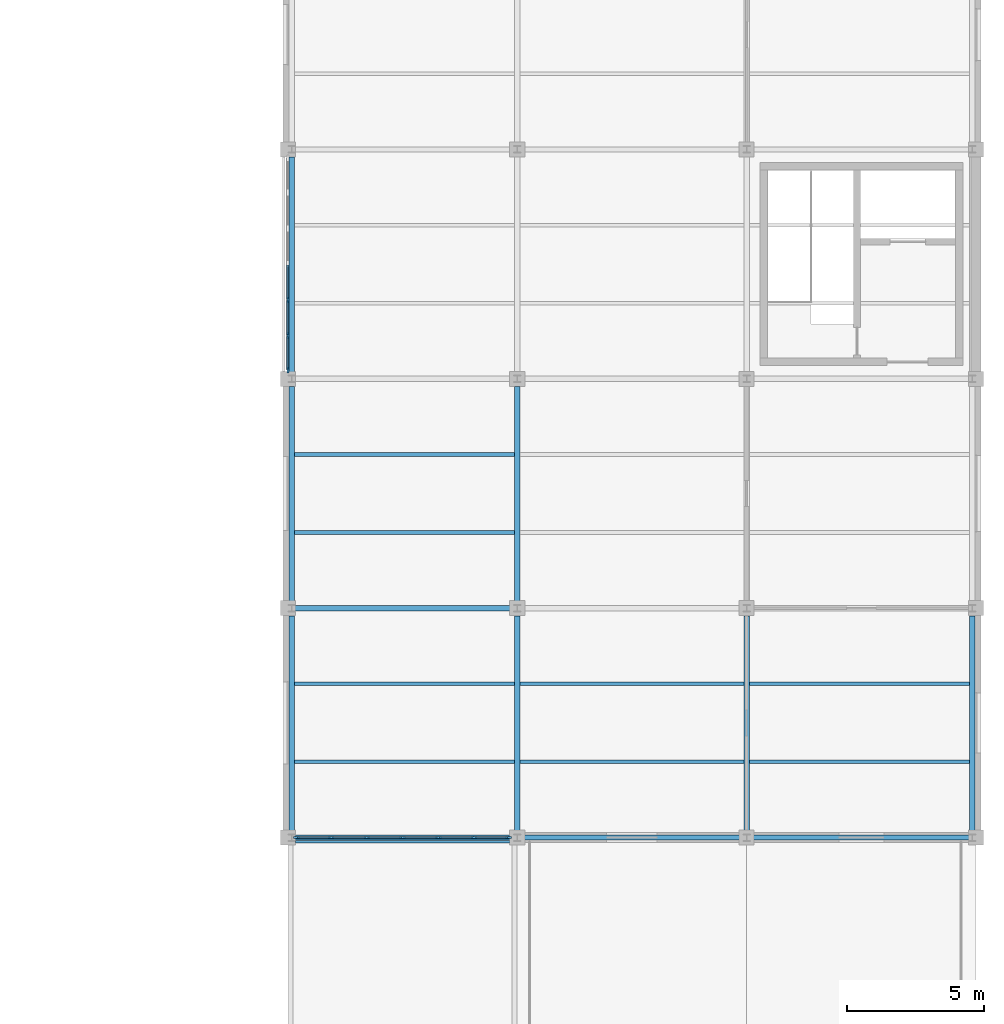
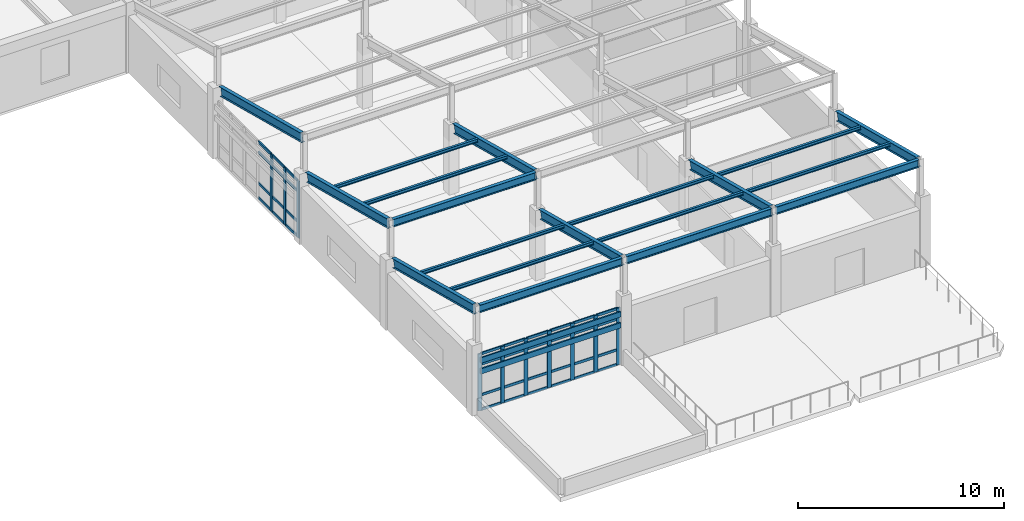
# One storey, part 40 of 74: 56 members, 11 beams, 2 elements without a shape of their own.
"""IFC4 building model written with IfcOpenShell, lengths in metres."""

from ifc_helpers import new_model, si_unit, direction, frame, origin, origin_2d, place, context, subcontext, project, spatial, rectangle, i_section, extrude, material, layer, layer_set, material_profile, profile_set, type_object, element, aggregate, save


model = new_model("IFC4")

# Units and contexts
model_context = context("Model", 3, precision=1e-05, world=origin(), true_north=direction((0.0, 1.0)))
body_context = subcontext(model_context, "Body", "Model", "MODEL_VIEW")
ifc_project = project(units=[si_unit("LENGTHUNIT", "METRE"), si_unit("AREAUNIT", "SQUARE_METRE"), si_unit("VOLUMEUNIT", "CUBIC_METRE"), si_unit("PLANEANGLEUNIT", "RADIAN"), si_unit("MASSUNIT", "GRAM", prefix="KILO")], contexts=[model_context])

# Site, building, storey
site_placement = place(None, origin())
site = spatial("IfcSite", under=ifc_project, at=site_placement, CompositionType="ELEMENT")
building_placement = place(site_placement, origin())
building = spatial("IfcBuilding", under=site, at=building_placement, Name="Porcellanite Civic Hall", CompositionType="ELEMENT")
storey_placement = place(building_placement, frame((0.0, 0.0, 14.760009765625)))
storey = spatial("IfcBuildingStorey", under=building, at=storey_placement, Name="L03", CompositionType="ELEMENT", Elevation=14.760009765625)

# Curtain wall, members
ifc_material_1 = material(Name="Anodised aluminium and solar laminated glass", Category="aluminium")
ifc_layer = layer(ifc_material_1, 0.179931640625)
ifc_layer_set = layer_set([ifc_layer], Name="Anodised aluminium and solar laminated glass")
curtain_wall_type = type_object("IfcCurtainWallType", Name="CW-SYS02", PredefinedType="NOTDEFINED", material=ifc_layer_set)
curtain_wall_1_placement = place(storey_placement, origin())
curtain_wall_1 = element("IfcCurtainWall", 1, at=curtain_wall_1_placement, inside=storey, type_object=curtain_wall_type, Name="Curtain wall CW-221", PredefinedType="NOTDEFINED")
ifc_material_2 = material(Name="Anodised aluminium 6063-T6", Category="aluminium")
ifc_material_profile_1 = material_profile(ifc_material_2, rectangle(XDim=0.074951171875, YDim=0.219970703125, at=origin_2d()), Name="AL-75x220")
ifc_profile_set_1 = profile_set([ifc_material_profile_1], Name="Anodised aluminium 6063-T6")
member_type_1 = type_object("IfcMemberType", Name="CWM-03", PredefinedType="MULLION", material=ifc_profile_set_1)
member_1_placement = place(storey_placement, frame((150.886474609375, 16.800048828125, 0.0), z_axis=(0.0, 0.0, 1.0), x_axis=(0.0, -1.0, 0.0)))
member_1 = element("IfcMember", 2, at=member_1_placement, type_object=member_type_1, Name="CW-221 mullion 1", PredefinedType="MULLION", context=body_context, shape_type="SweptSolid", body=[
    extrude(rectangle(XDim=0.074951171875, YDim=0.219970703125, at=origin_2d()), origin(), (0.0, 0.0, 1.0), 3.369873046875),
])
member_2_placement = place(storey_placement, frame((149.615966796875, 16.800048828125, 0.0), z_axis=(0.0, 0.0, 1.0), x_axis=(0.0, -1.0, 0.0)))
member_2 = element("IfcMember", 3, at=member_2_placement, type_object=member_type_1, Name="CW-221 mullion 2", PredefinedType="MULLION", context=body_context, shape_type="SweptSolid", body=[
    extrude(rectangle(XDim=0.074951171875, YDim=0.219970703125, at=origin_2d()), origin(), (0.0, 0.0, 1.0), 3.369873046875),
])
member_3_placement = place(storey_placement, frame((148.30810546875, 16.800048828125, 0.0), z_axis=(0.0, 0.0, 1.0), x_axis=(0.0, -1.0, 0.0)))
member_3 = element("IfcMember", 4, at=member_3_placement, type_object=member_type_1, Name="CW-221 mullion 3", PredefinedType="MULLION", context=body_context, shape_type="SweptSolid", body=[
    extrude(rectangle(XDim=0.074951171875, YDim=0.219970703125, at=origin_2d()), origin(), (0.0, 0.0, 1.0), 3.369873046875),
])
member_4_placement = place(storey_placement, frame((147.0, 16.800048828125, 0.0), z_axis=(0.0, 0.0, 1.0), x_axis=(0.0, -1.0, 0.0)))
member_4 = element("IfcMember", 5, at=member_4_placement, type_object=member_type_1, Name="CW-221 mullion 4", PredefinedType="MULLION", context=body_context, shape_type="SweptSolid", body=[
    extrude(rectangle(XDim=0.074951171875, YDim=0.219970703125, at=origin_2d()), origin(), (0.0, 0.0, 1.0), 3.369873046875),
])
member_5_placement = place(storey_placement, frame((145.69189453125, 16.800048828125, 0.0), z_axis=(0.0, 0.0, 1.0), x_axis=(0.0, -1.0, 0.0)))
member_5 = element("IfcMember", 6, at=member_5_placement, type_object=member_type_1, Name="CW-221 mullion 5", PredefinedType="MULLION", context=body_context, shape_type="SweptSolid", body=[
    extrude(rectangle(XDim=0.074951171875, YDim=0.219970703125, at=origin_2d()), origin(), (0.0, 0.0, 1.0), 3.369873046875),
])
member_6_placement = place(storey_placement, frame((144.384033203125, 16.800048828125, 0.0), z_axis=(0.0, 0.0, 1.0), x_axis=(0.0, -1.0, 0.0)))
member_6 = element("IfcMember", 7, at=member_6_placement, type_object=member_type_1, Name="CW-221 mullion 6", PredefinedType="MULLION", context=body_context, shape_type="SweptSolid", body=[
    extrude(rectangle(XDim=0.074951171875, YDim=0.219970703125, at=origin_2d()), origin(), (0.0, 0.0, 1.0), 3.369873046875),
])
member_7_placement = place(storey_placement, frame((143.113525390625, 16.800048828125, 0.0), z_axis=(0.0, 0.0, 1.0), x_axis=(0.0, -1.0, 0.0)))
member_7 = element("IfcMember", 8, at=member_7_placement, type_object=member_type_1, Name="CW-221 mullion 7", PredefinedType="MULLION", context=body_context, shape_type="SweptSolid", body=[
    extrude(rectangle(XDim=0.074951171875, YDim=0.219970703125, at=origin_2d()), origin(), (0.0, 0.0, 1.0), 3.369873046875),
])

curtain_wall_2_placement = place(storey_placement, origin())
curtain_wall_2 = element("IfcCurtainWall", 9, at=curtain_wall_2_placement, inside=storey, type_object=curtain_wall_type, Name="Curtain wall CW-222", PredefinedType="NOTDEFINED")
member_8_placement = place(storey_placement, frame((142.800048828125, 33.91357421875, 0.0), z_axis=(0.0, 0.0, 1.0), x_axis=(-1.0, 0.0, 0.0)))
member_8 = element("IfcMember", 10, at=member_8_placement, type_object=member_type_1, Name="CW-222 mullion 1", PredefinedType="MULLION", context=body_context, shape_type="SweptSolid", body=[
    extrude(rectangle(XDim=0.074951171875, YDim=0.219970703125, at=origin_2d()), origin(), (0.0, 0.0, 1.0), 3.369873046875),
])
member_9_placement = place(storey_placement, frame((142.800048828125, 35.18408203125, 0.0), z_axis=(0.0, 0.0, 1.0), x_axis=(-1.0, 0.0, 0.0)))
member_9 = element("IfcMember", 11, at=member_9_placement, type_object=member_type_1, Name="CW-222 mullion 2", PredefinedType="MULLION", context=body_context, shape_type="SweptSolid", body=[
    extrude(rectangle(XDim=0.074951171875, YDim=0.219970703125, at=origin_2d()), origin(), (0.0, 0.0, 1.0), 3.369873046875),
])
member_10_placement = place(storey_placement, frame((142.800048828125, 36.491943359375, 0.0), z_axis=(0.0, 0.0, 1.0), x_axis=(-1.0, 0.0, 0.0)))
member_10 = element("IfcMember", 12, at=member_10_placement, type_object=member_type_1, Name="CW-222 mullion 3", PredefinedType="MULLION", context=body_context, shape_type="SweptSolid", body=[
    extrude(rectangle(XDim=0.074951171875, YDim=0.219970703125, at=origin_2d()), origin(), (0.0, 0.0, 1.0), 3.369873046875),
])

# Member
ifc_material_3 = material(Name="Anodised aluminium 6063-T6", Category="aluminium")
ifc_material_profile_2 = material_profile(ifc_material_3, rectangle(XDim=0.06494140625, YDim=0.14990234375, at=origin_2d()), Name="AL-65x150")
ifc_profile_set_2 = profile_set([ifc_material_profile_2], Name="Anodised aluminium 6063-T6")
member_type_2 = type_object("IfcMemberType", Name="CWT-02", PredefinedType="USERDEFINED", material=ifc_profile_set_2)
member_11_placement = place(storey_placement, frame((150.84912109375, 16.800048828125, 0.032470703125), z_axis=(-1.0, 0.0, 0.0), x_axis=(0.0, -1.0, 0.0)))
member_11 = element("IfcMember", 13, at=member_11_placement, type_object=member_type_2, Name="CW-221 transom 1.1", ObjectType="TRANSOM", PredefinedType="USERDEFINED", context=body_context, shape_type="SweptSolid", body=[
    extrude(rectangle(XDim=0.06494140625, YDim=0.14990234375, at=origin_2d()), origin(), (0.0, 0.0, 1.0), 1.195556640625),
])

member_12_placement = place(storey_placement, frame((150.84912109375, 16.800048828125, 0.89990234375), z_axis=(-1.0, 0.0, 0.0), x_axis=(0.0, -1.0, 0.0)))
member_12 = element("IfcMember", 14, at=member_12_placement, type_object=member_type_2, Name="CW-221 transom 1.2", ObjectType="TRANSOM", PredefinedType="USERDEFINED", context=body_context, shape_type="SweptSolid", body=[
    extrude(rectangle(XDim=0.06494140625, YDim=0.14990234375, at=origin_2d()), origin(), (0.0, 0.0, 1.0), 1.195556640625),
])

member_13_placement = place(storey_placement, frame((150.84912109375, 16.800048828125, 2.719970703125), z_axis=(-1.0, 0.0, 0.0), x_axis=(0.0, -1.0, 0.0)))
member_13 = element("IfcMember", 15, at=member_13_placement, type_object=member_type_2, Name="CW-221 transom 1.3", ObjectType="TRANSOM", PredefinedType="USERDEFINED", context=body_context, shape_type="SweptSolid", body=[
    extrude(rectangle(XDim=0.06494140625, YDim=0.14990234375, at=origin_2d()), origin(), (0.0, 0.0, 1.0), 1.195556640625),
])

member_14_placement = place(storey_placement, frame((150.84912109375, 16.800048828125, 3.33740234375), z_axis=(-1.0, 0.0, 0.0), x_axis=(0.0, -1.0, 0.0)))
member_14 = element("IfcMember", 16, at=member_14_placement, type_object=member_type_2, Name="CW-221 transom 1.4", ObjectType="TRANSOM", PredefinedType="USERDEFINED", context=body_context, shape_type="SweptSolid", body=[
    extrude(rectangle(XDim=0.06494140625, YDim=0.14990234375, at=origin_2d()), origin(), (0.0, 0.0, 1.0), 1.195556640625),
])

member_15_placement = place(storey_placement, frame((149.57861328125, 16.800048828125, 0.032470703125), z_axis=(-1.0, 0.0, 0.0), x_axis=(0.0, -1.0, 0.0)))
member_15 = element("IfcMember", 17, at=member_15_placement, type_object=member_type_2, Name="CW-221 transom 2.1", ObjectType="TRANSOM", PredefinedType="USERDEFINED", context=body_context, shape_type="SweptSolid", body=[
    extrude(rectangle(XDim=0.06494140625, YDim=0.14990234375, at=origin_2d()), origin(), (0.0, 0.0, 1.0), 1.233154296875),
])

member_16_placement = place(storey_placement, frame((149.57861328125, 16.800048828125, 0.89990234375), z_axis=(-1.0, 0.0, 0.0), x_axis=(0.0, -1.0, 0.0)))
member_16 = element("IfcMember", 18, at=member_16_placement, type_object=member_type_2, Name="CW-221 transom 2.2", ObjectType="TRANSOM", PredefinedType="USERDEFINED", context=body_context, shape_type="SweptSolid", body=[
    extrude(rectangle(XDim=0.06494140625, YDim=0.14990234375, at=origin_2d()), origin(), (0.0, 0.0, 1.0), 1.233154296875),
])

member_17_placement = place(storey_placement, frame((149.57861328125, 16.800048828125, 2.719970703125), z_axis=(-1.0, 0.0, 0.0), x_axis=(0.0, -1.0, 0.0)))
member_17 = element("IfcMember", 19, at=member_17_placement, type_object=member_type_2, Name="CW-221 transom 2.3", ObjectType="TRANSOM", PredefinedType="USERDEFINED", context=body_context, shape_type="SweptSolid", body=[
    extrude(rectangle(XDim=0.06494140625, YDim=0.14990234375, at=origin_2d()), origin(), (0.0, 0.0, 1.0), 1.233154296875),
])

member_18_placement = place(storey_placement, frame((149.57861328125, 16.800048828125, 3.33740234375), z_axis=(-1.0, 0.0, 0.0), x_axis=(0.0, -1.0, 0.0)))
member_18 = element("IfcMember", 20, at=member_18_placement, type_object=member_type_2, Name="CW-221 transom 2.4", ObjectType="TRANSOM", PredefinedType="USERDEFINED", context=body_context, shape_type="SweptSolid", body=[
    extrude(rectangle(XDim=0.06494140625, YDim=0.14990234375, at=origin_2d()), origin(), (0.0, 0.0, 1.0), 1.233154296875),
])

member_19_placement = place(storey_placement, frame((148.2705078125, 16.800048828125, 0.032470703125), z_axis=(-1.0, 0.0, 0.0), x_axis=(0.0, -1.0, 0.0)))
member_19 = element("IfcMember", 21, at=member_19_placement, type_object=member_type_2, Name="CW-221 transom 3.1", ObjectType="TRANSOM", PredefinedType="USERDEFINED", context=body_context, shape_type="SweptSolid", body=[
    extrude(rectangle(XDim=0.06494140625, YDim=0.14990234375, at=origin_2d()), origin(), (0.0, 0.0, 1.0), 1.23291015625),
])

member_20_placement = place(storey_placement, frame((148.2705078125, 16.800048828125, 0.89990234375), z_axis=(-1.0, 0.0, 0.0), x_axis=(0.0, -1.0, 0.0)))
member_20 = element("IfcMember", 22, at=member_20_placement, type_object=member_type_2, Name="CW-221 transom 3.2", ObjectType="TRANSOM", PredefinedType="USERDEFINED", context=body_context, shape_type="SweptSolid", body=[
    extrude(rectangle(XDim=0.06494140625, YDim=0.14990234375, at=origin_2d()), origin(), (0.0, 0.0, 1.0), 1.23291015625),
])

member_21_placement = place(storey_placement, frame((148.2705078125, 16.800048828125, 2.719970703125), z_axis=(-1.0, 0.0, 0.0), x_axis=(0.0, -1.0, 0.0)))
member_21 = element("IfcMember", 23, at=member_21_placement, type_object=member_type_2, Name="CW-221 transom 3.3", ObjectType="TRANSOM", PredefinedType="USERDEFINED", context=body_context, shape_type="SweptSolid", body=[
    extrude(rectangle(XDim=0.06494140625, YDim=0.14990234375, at=origin_2d()), origin(), (0.0, 0.0, 1.0), 1.23291015625),
])

member_22_placement = place(storey_placement, frame((148.2705078125, 16.800048828125, 3.33740234375), z_axis=(-1.0, 0.0, 0.0), x_axis=(0.0, -1.0, 0.0)))
member_22 = element("IfcMember", 24, at=member_22_placement, type_object=member_type_2, Name="CW-221 transom 3.4", ObjectType="TRANSOM", PredefinedType="USERDEFINED", context=body_context, shape_type="SweptSolid", body=[
    extrude(rectangle(XDim=0.06494140625, YDim=0.14990234375, at=origin_2d()), origin(), (0.0, 0.0, 1.0), 1.23291015625),
])

member_23_placement = place(storey_placement, frame((146.96240234375, 16.800048828125, 0.032470703125), z_axis=(-1.0, 0.0, 0.0), x_axis=(0.0, -1.0, 0.0)))
member_23 = element("IfcMember", 25, at=member_23_placement, type_object=member_type_2, Name="CW-221 transom 4.1", ObjectType="TRANSOM", PredefinedType="USERDEFINED", context=body_context, shape_type="SweptSolid", body=[
    extrude(rectangle(XDim=0.06494140625, YDim=0.14990234375, at=origin_2d()), origin(), (0.0, 0.0, 1.0), 1.23291015625),
])

member_24_placement = place(storey_placement, frame((146.96240234375, 16.800048828125, 0.89990234375), z_axis=(-1.0, 0.0, 0.0), x_axis=(0.0, -1.0, 0.0)))
member_24 = element("IfcMember", 26, at=member_24_placement, type_object=member_type_2, Name="CW-221 transom 4.2", ObjectType="TRANSOM", PredefinedType="USERDEFINED", context=body_context, shape_type="SweptSolid", body=[
    extrude(rectangle(XDim=0.06494140625, YDim=0.14990234375, at=origin_2d()), origin(), (0.0, 0.0, 1.0), 1.23291015625),
])

member_25_placement = place(storey_placement, frame((146.96240234375, 16.800048828125, 2.719970703125), z_axis=(-1.0, 0.0, 0.0), x_axis=(0.0, -1.0, 0.0)))
member_25 = element("IfcMember", 27, at=member_25_placement, type_object=member_type_2, Name="CW-221 transom 4.3", ObjectType="TRANSOM", PredefinedType="USERDEFINED", context=body_context, shape_type="SweptSolid", body=[
    extrude(rectangle(XDim=0.06494140625, YDim=0.14990234375, at=origin_2d()), origin(), (0.0, 0.0, 1.0), 1.23291015625),
])

member_26_placement = place(storey_placement, frame((146.96240234375, 16.800048828125, 3.33740234375), z_axis=(-1.0, 0.0, 0.0), x_axis=(0.0, -1.0, 0.0)))
member_26 = element("IfcMember", 28, at=member_26_placement, type_object=member_type_2, Name="CW-221 transom 4.4", ObjectType="TRANSOM", PredefinedType="USERDEFINED", context=body_context, shape_type="SweptSolid", body=[
    extrude(rectangle(XDim=0.06494140625, YDim=0.14990234375, at=origin_2d()), origin(), (0.0, 0.0, 1.0), 1.23291015625),
])

member_27_placement = place(storey_placement, frame((145.654541015625, 16.800048828125, 0.032470703125), z_axis=(-1.0, 0.0, 0.0), x_axis=(0.0, -1.0, 0.0)))
member_27 = element("IfcMember", 29, at=member_27_placement, type_object=member_type_2, Name="CW-221 transom 5.1", ObjectType="TRANSOM", PredefinedType="USERDEFINED", context=body_context, shape_type="SweptSolid", body=[
    extrude(rectangle(XDim=0.06494140625, YDim=0.14990234375, at=origin_2d()), origin(), (0.0, 0.0, 1.0), 1.233154296875),
])

member_28_placement = place(storey_placement, frame((145.654541015625, 16.800048828125, 0.89990234375), z_axis=(-1.0, 0.0, 0.0), x_axis=(0.0, -1.0, 0.0)))
member_28 = element("IfcMember", 30, at=member_28_placement, type_object=member_type_2, Name="CW-221 transom 5.2", ObjectType="TRANSOM", PredefinedType="USERDEFINED", context=body_context, shape_type="SweptSolid", body=[
    extrude(rectangle(XDim=0.06494140625, YDim=0.14990234375, at=origin_2d()), origin(), (0.0, 0.0, 1.0), 1.233154296875),
])

member_29_placement = place(storey_placement, frame((145.654541015625, 16.800048828125, 2.719970703125), z_axis=(-1.0, 0.0, 0.0), x_axis=(0.0, -1.0, 0.0)))
member_29 = element("IfcMember", 31, at=member_29_placement, type_object=member_type_2, Name="CW-221 transom 5.3", ObjectType="TRANSOM", PredefinedType="USERDEFINED", context=body_context, shape_type="SweptSolid", body=[
    extrude(rectangle(XDim=0.06494140625, YDim=0.14990234375, at=origin_2d()), origin(), (0.0, 0.0, 1.0), 1.233154296875),
])

member_30_placement = place(storey_placement, frame((145.654541015625, 16.800048828125, 3.33740234375), z_axis=(-1.0, 0.0, 0.0), x_axis=(0.0, -1.0, 0.0)))
member_30 = element("IfcMember", 32, at=member_30_placement, type_object=member_type_2, Name="CW-221 transom 5.4", ObjectType="TRANSOM", PredefinedType="USERDEFINED", context=body_context, shape_type="SweptSolid", body=[
    extrude(rectangle(XDim=0.06494140625, YDim=0.14990234375, at=origin_2d()), origin(), (0.0, 0.0, 1.0), 1.233154296875),
])

member_31_placement = place(storey_placement, frame((144.346435546875, 16.800048828125, 0.032470703125), z_axis=(-1.0, 0.0, 0.0), x_axis=(0.0, -1.0, 0.0)))
member_31 = element("IfcMember", 33, at=member_31_placement, type_object=member_type_2, Name="CW-221 transom 6.1", ObjectType="TRANSOM", PredefinedType="USERDEFINED", context=body_context, shape_type="SweptSolid", body=[
    extrude(rectangle(XDim=0.06494140625, YDim=0.14990234375, at=origin_2d()), origin(), (0.0, 0.0, 1.0), 1.195556640625),
])

member_32_placement = place(storey_placement, frame((144.346435546875, 16.800048828125, 0.89990234375), z_axis=(-1.0, 0.0, 0.0), x_axis=(0.0, -1.0, 0.0)))
member_32 = element("IfcMember", 34, at=member_32_placement, type_object=member_type_2, Name="CW-221 transom 6.2", ObjectType="TRANSOM", PredefinedType="USERDEFINED", context=body_context, shape_type="SweptSolid", body=[
    extrude(rectangle(XDim=0.06494140625, YDim=0.14990234375, at=origin_2d()), origin(), (0.0, 0.0, 1.0), 1.195556640625),
])

member_33_placement = place(storey_placement, frame((144.346435546875, 16.800048828125, 2.719970703125), z_axis=(-1.0, 0.0, 0.0), x_axis=(0.0, -1.0, 0.0)))
member_33 = element("IfcMember", 35, at=member_33_placement, type_object=member_type_2, Name="CW-221 transom 6.3", ObjectType="TRANSOM", PredefinedType="USERDEFINED", context=body_context, shape_type="SweptSolid", body=[
    extrude(rectangle(XDim=0.06494140625, YDim=0.14990234375, at=origin_2d()), origin(), (0.0, 0.0, 1.0), 1.195556640625),
])

member_34_placement = place(storey_placement, frame((144.346435546875, 16.800048828125, 3.33740234375), z_axis=(-1.0, 0.0, 0.0), x_axis=(0.0, -1.0, 0.0)))
member_34 = element("IfcMember", 36, at=member_34_placement, type_object=member_type_2, Name="CW-221 transom 6.4", ObjectType="TRANSOM", PredefinedType="USERDEFINED", context=body_context, shape_type="SweptSolid", body=[
    extrude(rectangle(XDim=0.06494140625, YDim=0.14990234375, at=origin_2d()), origin(), (0.0, 0.0, 1.0), 1.195556640625),
])

aggregate(curtain_wall_1, [member_1, member_2, member_3, member_4, member_5, member_6, member_7, member_11, member_12, member_13, member_14, member_15, member_16, member_17, member_18, member_19, member_20, member_21, member_22, member_23, member_24, member_25, member_26, member_27, member_28, member_29, member_30, member_31, member_32, member_33, member_34])

member_35_placement = place(storey_placement, frame((142.800048828125, 33.950927734375, 0.032470703125), z_axis=(0.0, 1.0, 0.0), x_axis=(-1.0, 0.0, 0.0)))
member_35 = element("IfcMember", 37, at=member_35_placement, type_object=member_type_2, Name="CW-222 transom 1.1", ObjectType="TRANSOM", PredefinedType="USERDEFINED", context=body_context, shape_type="SweptSolid", body=[
    extrude(rectangle(XDim=0.06494140625, YDim=0.14990234375, at=origin_2d()), origin(), (0.0, 0.0, 1.0), 1.195556640625),
])

member_36_placement = place(storey_placement, frame((142.800048828125, 33.950927734375, 0.89990234375), z_axis=(0.0, 1.0, 0.0), x_axis=(-1.0, 0.0, 0.0)))
member_36 = element("IfcMember", 38, at=member_36_placement, type_object=member_type_2, Name="CW-222 transom 1.2", ObjectType="TRANSOM", PredefinedType="USERDEFINED", context=body_context, shape_type="SweptSolid", body=[
    extrude(rectangle(XDim=0.06494140625, YDim=0.14990234375, at=origin_2d()), origin(), (0.0, 0.0, 1.0), 1.195556640625),
])

member_37_placement = place(storey_placement, frame((142.800048828125, 33.950927734375, 2.719970703125), z_axis=(0.0, 1.0, 0.0), x_axis=(-1.0, 0.0, 0.0)))
member_37 = element("IfcMember", 39, at=member_37_placement, type_object=member_type_2, Name="CW-222 transom 1.3", ObjectType="TRANSOM", PredefinedType="USERDEFINED", context=body_context, shape_type="SweptSolid", body=[
    extrude(rectangle(XDim=0.06494140625, YDim=0.14990234375, at=origin_2d()), origin(), (0.0, 0.0, 1.0), 1.195556640625),
])

member_38_placement = place(storey_placement, frame((142.800048828125, 33.950927734375, 3.33740234375), z_axis=(0.0, 1.0, 0.0), x_axis=(-1.0, 0.0, 0.0)))
member_38 = element("IfcMember", 40, at=member_38_placement, type_object=member_type_2, Name="CW-222 transom 1.4", ObjectType="TRANSOM", PredefinedType="USERDEFINED", context=body_context, shape_type="SweptSolid", body=[
    extrude(rectangle(XDim=0.06494140625, YDim=0.14990234375, at=origin_2d()), origin(), (0.0, 0.0, 1.0), 1.195556640625),
])

member_39_placement = place(storey_placement, frame((142.800048828125, 35.221435546875, 0.032470703125), z_axis=(0.0, 1.0, 0.0), x_axis=(-1.0, 0.0, 0.0)))
member_39 = element("IfcMember", 41, at=member_39_placement, type_object=member_type_2, Name="CW-222 transom 2.1", ObjectType="TRANSOM", PredefinedType="USERDEFINED", context=body_context, shape_type="SweptSolid", body=[
    extrude(rectangle(XDim=0.06494140625, YDim=0.14990234375, at=origin_2d()), origin(), (0.0, 0.0, 1.0), 1.233154296875),
])

member_40_placement = place(storey_placement, frame((142.800048828125, 35.221435546875, 0.89990234375), z_axis=(0.0, 1.0, 0.0), x_axis=(-1.0, 0.0, 0.0)))
member_40 = element("IfcMember", 42, at=member_40_placement, type_object=member_type_2, Name="CW-222 transom 2.2", ObjectType="TRANSOM", PredefinedType="USERDEFINED", context=body_context, shape_type="SweptSolid", body=[
    extrude(rectangle(XDim=0.06494140625, YDim=0.14990234375, at=origin_2d()), origin(), (0.0, 0.0, 1.0), 1.233154296875),
])

member_41_placement = place(storey_placement, frame((142.800048828125, 35.221435546875, 2.719970703125), z_axis=(0.0, 1.0, 0.0), x_axis=(-1.0, 0.0, 0.0)))
member_41 = element("IfcMember", 43, at=member_41_placement, type_object=member_type_2, Name="CW-222 transom 2.3", ObjectType="TRANSOM", PredefinedType="USERDEFINED", context=body_context, shape_type="SweptSolid", body=[
    extrude(rectangle(XDim=0.06494140625, YDim=0.14990234375, at=origin_2d()), origin(), (0.0, 0.0, 1.0), 1.233154296875),
])

member_42_placement = place(storey_placement, frame((142.800048828125, 35.221435546875, 3.33740234375), z_axis=(0.0, 1.0, 0.0), x_axis=(-1.0, 0.0, 0.0)))
member_42 = element("IfcMember", 44, at=member_42_placement, type_object=member_type_2, Name="CW-222 transom 2.4", ObjectType="TRANSOM", PredefinedType="USERDEFINED", context=body_context, shape_type="SweptSolid", body=[
    extrude(rectangle(XDim=0.06494140625, YDim=0.14990234375, at=origin_2d()), origin(), (0.0, 0.0, 1.0), 1.233154296875),
])

member_43_placement = place(storey_placement, frame((142.800048828125, 36.529541015625, 0.032470703125), z_axis=(0.0, 1.0, 0.0), x_axis=(-1.0, 0.0, 0.0)))
member_43 = element("IfcMember", 45, at=member_43_placement, type_object=member_type_2, Name="CW-222 transom 3.1", ObjectType="TRANSOM", PredefinedType="USERDEFINED", context=body_context, shape_type="SweptSolid", body=[
    extrude(rectangle(XDim=0.06494140625, YDim=0.14990234375, at=origin_2d()), origin(), (0.0, 0.0, 1.0), 1.23291015625),
])

member_44_placement = place(storey_placement, frame((142.800048828125, 36.529541015625, 0.89990234375), z_axis=(0.0, 1.0, 0.0), x_axis=(-1.0, 0.0, 0.0)))
member_44 = element("IfcMember", 46, at=member_44_placement, type_object=member_type_2, Name="CW-222 transom 3.2", ObjectType="TRANSOM", PredefinedType="USERDEFINED", context=body_context, shape_type="SweptSolid", body=[
    extrude(rectangle(XDim=0.06494140625, YDim=0.14990234375, at=origin_2d()), origin(), (0.0, 0.0, 1.0), 1.23291015625),
])

member_45_placement = place(storey_placement, frame((142.800048828125, 36.529541015625, 2.719970703125), z_axis=(0.0, 1.0, 0.0), x_axis=(-1.0, 0.0, 0.0)))
member_45 = element("IfcMember", 47, at=member_45_placement, type_object=member_type_2, Name="CW-222 transom 3.3", ObjectType="TRANSOM", PredefinedType="USERDEFINED", context=body_context, shape_type="SweptSolid", body=[
    extrude(rectangle(XDim=0.06494140625, YDim=0.14990234375, at=origin_2d()), origin(), (0.0, 0.0, 1.0), 1.23291015625),
])

member_46_placement = place(storey_placement, frame((142.800048828125, 36.529541015625, 3.33740234375), z_axis=(0.0, 1.0, 0.0), x_axis=(-1.0, 0.0, 0.0)))
member_46 = element("IfcMember", 48, at=member_46_placement, type_object=member_type_2, Name="CW-222 transom 3.4", ObjectType="TRANSOM", PredefinedType="USERDEFINED", context=body_context, shape_type="SweptSolid", body=[
    extrude(rectangle(XDim=0.06494140625, YDim=0.14990234375, at=origin_2d()), origin(), (0.0, 0.0, 1.0), 1.23291015625),
])

aggregate(curtain_wall_2, [member_8, member_9, member_10, member_35, member_36, member_37, member_38, member_39, member_40, member_41, member_42, member_43, member_44, member_45, member_46])

# Members
ifc_material_4 = material(Name="Fluoropolymer bauxite-red aluminium 6063-T6", Category="aluminium")
ifc_material_profile_3 = material_profile(ifc_material_4, rectangle(XDim=0.080078125, YDim=0.320068359375, at=origin_2d()), Name="AL-80x320")
ifc_profile_set_3 = profile_set([ifc_material_profile_3], Name="Fluoropolymer bauxite-red aluminium 6063-T6")
member_type_3 = type_object("IfcMemberType", Name="LV-BLD03", PredefinedType="USERDEFINED", material=ifc_profile_set_3)
for number, where, z_axis, x_axis, name in (
    (49, (150.925537109375, 16.64794921875, 3.070068359375), (-1.0, 0.0, 0.0), (0.0, -1.0, 0.0), "Cyclone sunshade louvre L03 S 17-2 1"),
    (50, (150.925537109375, 16.64794921875, 2.419921875), (-1.0, 0.0, 0.0), (0.0, -1.0, 0.0), "Cyclone sunshade louvre L03 S 17-2 2"),
):
    element("IfcMember", number, at=place(storey_placement, frame(where, z_axis=z_axis, x_axis=x_axis)), inside=storey, type_object=member_type_3, Name=name, ObjectType="LOUVRE BLADE", PredefinedType="USERDEFINED", context=body_context, shape_type="SweptSolid", body=[
        extrude(rectangle(XDim=0.080078125, YDim=0.320068359375, at=origin_2d()), origin(), (0.0, 0.0, 1.0), 7.85107421875),
    ])
ifc_material_5 = material(Name="Steel Grade 350", Category="steel")
ifc_material_profile_4 = material_profile(ifc_material_5, i_section(OverallWidth=0.133056640625, OverallDepth=0.202880859375, WebThickness=0.005859375, FlangeThickness=0.0078125, FilletRadius=0.0087890625, at=origin_2d()), Name="200UB25.4")
ifc_profile_set_4 = profile_set([ifc_material_profile_4], Name="Steel Grade 350")
member_type_4 = type_object("IfcMemberType", Name="PUR-200UB25", PredefinedType="PURLIN", material=ifc_profile_set_4)
for number, where, z_axis, x_axis, name in (
    (51, (143.044921875, 19.572021484375, 5.492919921875), (1.0, 0.0, 0.0), (0.0, 1.0, 0.0), "Library sawtooth purlin 17-2"),
    (52, (143.044921875, 22.427978515625, 4.75439453125), (1.0, 0.0, 0.0), (0.0, 1.0, 0.0), "Library sawtooth purlin 17-2"),
):
    element("IfcMember", number, at=place(storey_placement, frame(where, z_axis=z_axis, x_axis=x_axis)), inside=storey, type_object=member_type_4, Name=name, PredefinedType="PURLIN", context=body_context, shape_type="SweptSolid", body=[
        extrude(i_section(OverallWidth=0.133056640625, OverallDepth=0.202880859375, WebThickness=0.005859375, FlangeThickness=0.0078125, FilletRadius=0.0087890625, at=origin_2d()), origin(), (0.0, 0.0, 1.0), 8.050048828125),
    ])
for number, where, z_axis, x_axis, name in (
    (53, (151.304931640625, 19.572021484375, 5.492919921875), (1.0, 0.0, 0.0), (0.0, 1.0, 0.0), "Library sawtooth purlin 18-2"),
    (54, (151.304931640625, 22.427978515625, 4.75439453125), (1.0, 0.0, 0.0), (0.0, 1.0, 0.0), "Library sawtooth purlin 18-2"),
):
    element("IfcMember", number, at=place(storey_placement, frame(where, z_axis=z_axis, x_axis=x_axis)), inside=storey, type_object=member_type_4, Name=name, PredefinedType="PURLIN", context=body_context, shape_type="SweptSolid", body=[
        extrude(i_section(OverallWidth=0.133056640625, OverallDepth=0.202880859375, WebThickness=0.005859375, FlangeThickness=0.0078125, FilletRadius=0.0087890625, at=origin_2d()), origin(), (0.0, 0.0, 1.0), 8.190185546875),
    ])
for number, where, z_axis, x_axis, name in (
    (55, (159.705078125, 19.572021484375, 5.492919921875), (1.0, 0.0, 0.0), (0.0, 1.0, 0.0), "Library sawtooth purlin 19-2"),
    (56, (159.705078125, 22.427978515625, 4.75439453125), (1.0, 0.0, 0.0), (0.0, 1.0, 0.0), "Library sawtooth purlin 19-2"),
):
    element("IfcMember", number, at=place(storey_placement, frame(where, z_axis=z_axis, x_axis=x_axis)), inside=storey, type_object=member_type_4, Name=name, PredefinedType="PURLIN", context=body_context, shape_type="SweptSolid", body=[
        extrude(i_section(OverallWidth=0.133056640625, OverallDepth=0.202880859375, WebThickness=0.005859375, FlangeThickness=0.0078125, FilletRadius=0.0087890625, at=origin_2d()), origin(), (0.0, 0.0, 1.0), 8.0498046875),
    ])
for number, where, z_axis, x_axis, name in (
    (57, (143.044921875, 27.971923828125, 5.492919921875), (1.0, 0.0, 0.0), (0.0, 1.0, 0.0), "Library sawtooth purlin 17-3"),
    (58, (143.044921875, 30.827880859375, 4.75439453125), (1.0, 0.0, 0.0), (0.0, 1.0, 0.0), "Library sawtooth purlin 17-3"),
):
    element("IfcMember", number, at=place(storey_placement, frame(where, z_axis=z_axis, x_axis=x_axis)), inside=storey, type_object=member_type_4, Name=name, PredefinedType="PURLIN", context=body_context, shape_type="SweptSolid", body=[
        extrude(i_section(OverallWidth=0.133056640625, OverallDepth=0.202880859375, WebThickness=0.005859375, FlangeThickness=0.0078125, FilletRadius=0.0087890625, at=origin_2d()), origin(), (0.0, 0.0, 1.0), 8.050048828125),
    ])

# Beams
ifc_material_6 = material(Name="Steel Grade 350", Category="steel")
ifc_material_profile_5 = material_profile(ifc_material_6, i_section(OverallWidth=0.18994140625, OverallDepth=0.4541015625, WebThickness=0.008544921875, FlangeThickness=0.0126953125, FilletRadius=0.011474609375, at=origin_2d()), Name="460UB67.1")
ifc_profile_set_5 = profile_set([ifc_material_profile_5], Name="Steel Grade 350")
beam_type_1 = type_object("IfcBeamType", Name="RAF-460UB67", PredefinedType="BEAM", material=ifc_profile_set_5)
beam_1_placement = place(storey_placement, frame((143.06640625, 16.800048828125, 6.069580078125), z_axis=(1.0, 0.0, 0.0), x_axis=(0.0, 1.0, 0.0)))
element("IfcBeam", 59, at=beam_1_placement, inside=storey, type_object=beam_type_1, Name="Library sawtooth ridge beam 17-2", PredefinedType="BEAM", context=body_context, shape_type="SweptSolid", body=[
    extrude(i_section(OverallWidth=0.18994140625, OverallDepth=0.4541015625, WebThickness=0.008544921875, FlangeThickness=0.0126953125, FilletRadius=0.011474609375, at=origin_2d()), origin(), (0.0, 0.0, 1.0), 8.007080078125),
])
beam_2_placement = place(storey_placement, frame((151.326416015625, 16.800048828125, 6.069580078125), z_axis=(1.0, 0.0, 0.0), x_axis=(0.0, 1.0, 0.0)))
element("IfcBeam", 60, at=beam_2_placement, inside=storey, type_object=beam_type_1, Name="Library sawtooth ridge beam 18-2", PredefinedType="BEAM", context=body_context, shape_type="SweptSolid", body=[
    extrude(i_section(OverallWidth=0.18994140625, OverallDepth=0.4541015625, WebThickness=0.008544921875, FlangeThickness=0.0126953125, FilletRadius=0.011474609375, at=origin_2d()), origin(), (0.0, 0.0, 1.0), 8.14697265625),
])
beam_3_placement = place(storey_placement, frame((159.7265625, 16.800048828125, 6.069580078125), z_axis=(1.0, 0.0, 0.0), x_axis=(0.0, 1.0, 0.0)))
element("IfcBeam", 61, at=beam_3_placement, inside=storey, type_object=beam_type_1, Name="Library sawtooth ridge beam 19-2", PredefinedType="BEAM", context=body_context, shape_type="SweptSolid", body=[
    extrude(i_section(OverallWidth=0.18994140625, OverallDepth=0.4541015625, WebThickness=0.008544921875, FlangeThickness=0.0126953125, FilletRadius=0.011474609375, at=origin_2d()), origin(), (0.0, 0.0, 1.0), 8.0068359375),
])
beam_4_placement = place(storey_placement, frame((143.06640625, 25.199951171875, 6.069580078125), z_axis=(1.0, 0.0, 0.0), x_axis=(0.0, 1.0, 0.0)))
element("IfcBeam", 62, at=beam_4_placement, inside=storey, type_object=beam_type_1, Name="Library sawtooth ridge beam 17-3", PredefinedType="BEAM", context=body_context, shape_type="SweptSolid", body=[
    extrude(i_section(OverallWidth=0.18994140625, OverallDepth=0.4541015625, WebThickness=0.008544921875, FlangeThickness=0.0126953125, FilletRadius=0.011474609375, at=origin_2d()), origin(), (0.0, 0.0, 1.0), 8.007080078125),
])
ifc_material_7 = material(Name="Steel Grade 350", Category="steel")
ifc_material_profile_6 = material_profile(ifc_material_7, i_section(OverallWidth=0.208984375, OverallDepth=0.532958984375, WebThickness=0.01025390625, FlangeThickness=0.015625, FilletRadius=0.013916015625, at=origin_2d()), Name="530UB92.4")
ifc_profile_set_6 = profile_set([ifc_material_profile_6], Name="Steel Grade 350")
beam_type_2 = type_object("IfcBeamType", Name="RAF-530UB92", PredefinedType="BEAM", material=ifc_profile_set_6)
for number, where, z_axis, x_axis, name in (
    (63, (142.93994140625, 16.927001953125, 6.003173828125), (0.0, 0.968147036294, -0.250382339864), (-1.0, 0.0, 0.0), "Library sawtooth rafter 17-2"),
    (64, (151.199951171875, 16.927001953125, 6.003173828125), (0.0, 0.968147036294, -0.250382339864), (-1.0, 0.0, 0.0), "Library sawtooth rafter 18-2"),
    (65, (159.60009765625, 16.927001953125, 6.003173828125), (0.0, 0.968147036294, -0.250382339864), (-1.0, 0.0, 0.0), "Library sawtooth rafter 19-2"),
    (66, (167.860107421875, 16.927001953125, 6.003173828125), (0.0, 0.968147036294, -0.250382339864), (-1.0, 0.0, 0.0), "Library sawtooth rafter 20-2"),
    (67, (142.93994140625, 25.326904296875, 6.003173828125), (0.0, 0.968147036294, -0.250382339864), (-1.0, 0.0, 0.0), "Library sawtooth rafter 17-3"),
    (68, (151.199951171875, 25.326904296875, 6.003173828125), (0.0, 0.968147036294, -0.250382339864), (-1.0, 0.0, 0.0), "Library sawtooth rafter 18-3"),
):
    element("IfcBeam", number, at=place(storey_placement, frame(where, z_axis=z_axis, x_axis=x_axis)), inside=storey, type_object=beam_type_2, Name=name, PredefinedType="BEAM", context=body_context, shape_type="SweptSolid", body=[
        extrude(i_section(OverallWidth=0.208984375, OverallDepth=0.532958984375, WebThickness=0.01025390625, FlangeThickness=0.015625, FilletRadius=0.013916015625, at=origin_2d()), origin(), (0.0, 0.0, 1.0), 8.183837890625),
    ])
beam_5_placement = place(storey_placement, frame((142.93994140625, 33.72705078125, 6.003173828125), z_axis=(0.0, 0.968145165988, -0.250389571618), x_axis=(-1.0, 0.0, 0.0)))
element("IfcBeam", 69, at=beam_5_placement, inside=storey, type_object=beam_type_2, Name="Library sawtooth rafter 17-4", PredefinedType="BEAM", context=body_context, shape_type="SweptSolid", body=[
    extrude(i_section(OverallWidth=0.208984375, OverallDepth=0.532958984375, WebThickness=0.01025390625, FlangeThickness=0.015625, FilletRadius=0.013916015625, at=origin_2d()), origin(), (0.0, 0.0, 1.0), 8.18359375),
])

save(model, "model.ifc")
